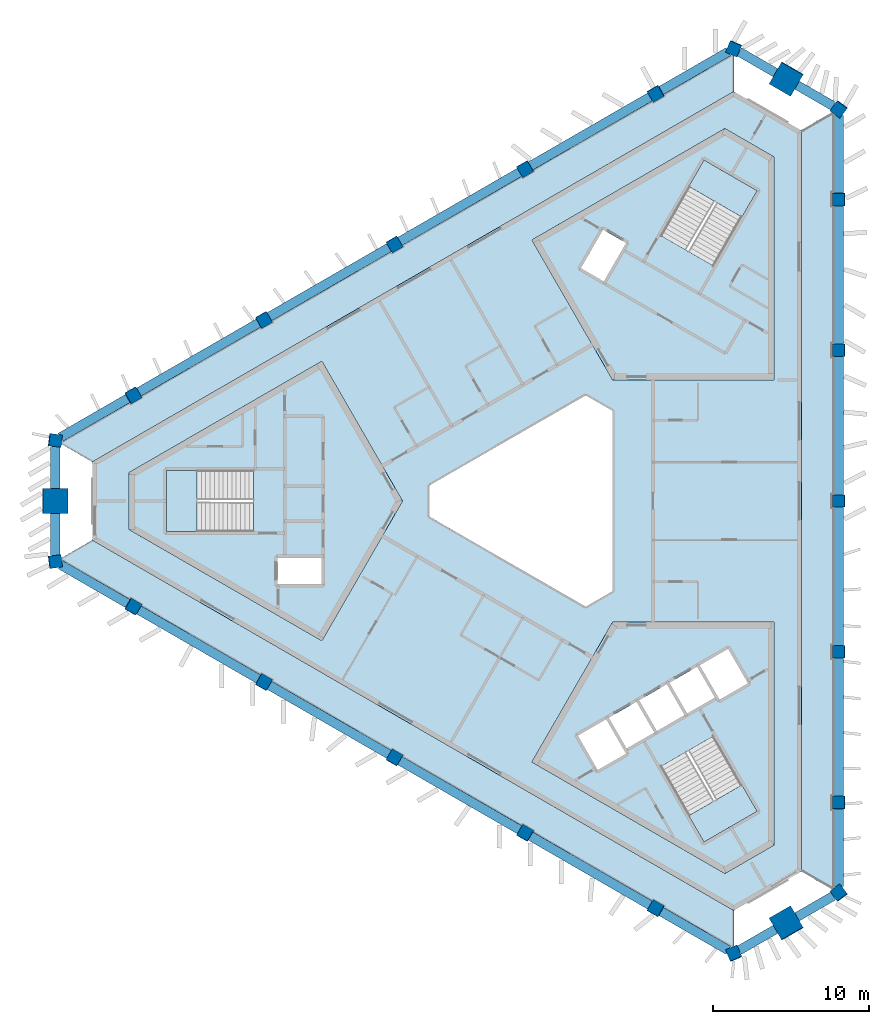
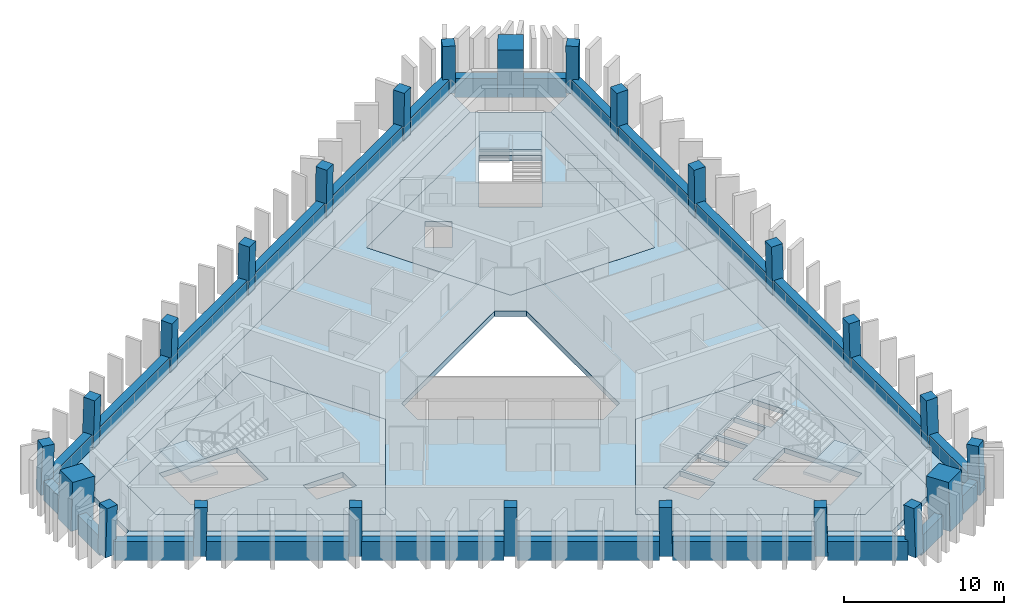
# One storey, part 1 of 9: 24 beams, 24 columns, 10 slabs, 3 elements without a shape of their own.
"""IFC4 building model written with IfcOpenShell, lengths in metres."""

from ifc_helpers import new_model, si_unit, direction, frame, origin, origin_2d, place, context, subcontext, project, spatial, polyline, rectangle, outline, extrude, material, layer, layer_set, material_profile, profile_set, type_object, element, aggregate, save


model = new_model("IFC4")

# Units and contexts
model_context = context("Model", 3, precision=1e-05, world=origin(), true_north=direction((0.0, 1.0)))
body_context = subcontext(model_context, "Body", "Model", "MODEL_VIEW")
ifc_project = project(units=[si_unit("LENGTHUNIT", "METRE"), si_unit("AREAUNIT", "SQUARE_METRE"), si_unit("VOLUMEUNIT", "CUBIC_METRE"), si_unit("PLANEANGLEUNIT", "RADIAN"), si_unit("MASSUNIT", "GRAM", prefix="KILO")], contexts=[model_context])

# Site, building, storey
site_placement = place(None, origin())
site = spatial("IfcSite", under=ifc_project, at=site_placement, CompositionType="ELEMENT")
building_placement = place(site_placement, origin())
building = spatial("IfcBuilding", under=site, at=building_placement, Name="Jabali Bay Hotel Tower and Convention Centre", CompositionType="ELEMENT")
storey_placement = place(building_placement, frame((0.0, 0.0, 277.5)))
storey = spatial("IfcBuildingStorey", under=building, at=storey_placement, Name="L68", CompositionType="ELEMENT", Elevation=277.5)

# Columns
ifc_material_1 = material(Name="Concrete C60", Category="concrete")
ifc_material_profile_1 = material_profile(ifc_material_1, rectangle(XDim=0.800048828125, YDim=0.800048828125, at=origin_2d()), Name="Frame column 800")
ifc_profile_set_1 = profile_set([ifc_material_profile_1], Name="Concrete C60")
column_type_1 = type_object("IfcColumnType", Name="Frame column 800", PredefinedType="COLUMN", material=ifc_profile_set_1)
column_1_placement = place(storey_placement, frame((82.275146484375, 106.201171875, 0.0), z_axis=(-0.008376454378, -0.028163354484, 0.999568237028), x_axis=(0.86584908167, 0.499849974805, 0.021339410928)))
element("IfcColumn", 1, at=column_1_placement, inside=storey, type_object=column_type_1, Name="FC6 F1.1 L68", PredefinedType="COLUMN", context=body_context, shape_type="SweptSolid", body=[
    extrude(rectangle(XDim=0.800048828125, YDim=0.800048828125, at=origin_2d()), origin(), (0.0, 0.0, 1.0), 3.70166015625),
])
column_2_placement = place(storey_placement, frame((73.874267578125, 101.350830078125, 0.0), z_axis=(0.000857578916, -0.022824792675, 0.999739112668), x_axis=(0.866054076895, 0.49983648719, 0.010668737814)))
element("IfcColumn", 2, at=column_2_placement, inside=storey, type_object=column_type_1, Name="FC6 F1.2 L68", PredefinedType="COLUMN", context=body_context, shape_type="SweptSolid", body=[
    extrude(rectangle(XDim=0.800048828125, YDim=0.800048828125, at=origin_2d()), origin(), (0.0, 0.0, 1.0), 3.700927734375),
])
column_3_placement = place(storey_placement, frame((65.473388671875, 96.50048828125, 0.0), z_axis=(0.010093620709, -0.017482414954, 0.999796221231), x_axis=(0.86601685016, 0.500014815019, 2.20911e-07)))
element("IfcColumn", 3, at=column_3_placement, inside=storey, type_object=column_type_1, Name="FC6 F1.3 L68", PredefinedType="COLUMN", context=body_context, shape_type="SweptSolid", body=[
    extrude(rectangle(XDim=0.800048828125, YDim=0.800048828125, at=origin_2d()), origin(), (0.0, 0.0, 1.0), 3.70068359375),
])
column_4_placement = place(storey_placement, frame((57.072509765625, 91.650390625, 0.0), z_axis=(0.019328516974, -0.012138044789, 0.999739504221), x_axis=(-0.500219757057, 0.865663279165, 0.020181222843)))
element("IfcColumn", 4, at=column_4_placement, inside=storey, type_object=column_type_1, Name="FC6 F1.4 L68", PredefinedType="COLUMN", context=body_context, shape_type="SweptSolid", body=[
    extrude(rectangle(XDim=0.800048828125, YDim=0.800048828125, at=origin_2d()), origin(), (0.0, 0.0, 1.0), 3.700927734375),
])
for number, where, z_axis, x_axis, name in (
    (5, (48.671630859375, 86.800048828125, 0.0), (0.02855911485, -0.006793507689, 0.999569019734), (-0.500407643461, 0.865554709988, 0.020180049142), "FC6 F1.5 L68"),
    (6, (48.671630859375, 73.199951171875, 0.0), (0.02855911485, 0.006793507689, 0.999569019734), (-0.865318766308, 0.500768301983, 0.021319953197), "FC6 F2.1 L68"),
):
    element("IfcColumn", number, at=place(storey_placement, frame(where, z_axis=z_axis, x_axis=x_axis)), inside=storey, type_object=column_type_1, Name=name, PredefinedType="COLUMN", context=body_context, shape_type="SweptSolid", body=[
        extrude(rectangle(XDim=0.800048828125, YDim=0.800048828125, at=origin_2d()), origin(), (0.0, 0.0, 1.0), 3.70166015625),
    ])
column_5_placement = place(storey_placement, frame((57.072509765625, 68.349609375, 0.0), z_axis=(0.019328516974, 0.012138044789, 0.999739504221), x_axis=(-0.865682738121, 0.50047952503, 0.010660297569)))
element("IfcColumn", 7, at=column_5_placement, inside=storey, type_object=column_type_1, Name="FC6 F2.2 L68", PredefinedType="COLUMN", context=body_context, shape_type="SweptSolid", body=[
    extrude(rectangle(XDim=0.800048828125, YDim=0.800048828125, at=origin_2d()), origin(), (0.0, 0.0, 1.0), 3.700927734375),
])
column_6_placement = place(storey_placement, frame((65.473388671875, 63.49951171875, 0.0), z_axis=(0.010093620709, 0.017482414954, 0.999796221231), x_axis=(-0.499912926478, -0.865840372083, 0.020187025823)))
element("IfcColumn", 8, at=column_6_placement, inside=storey, type_object=column_type_1, Name="FC6 F2.3 L68", PredefinedType="COLUMN", context=body_context, shape_type="SweptSolid", body=[
    extrude(rectangle(XDim=0.800048828125, YDim=0.800048828125, at=origin_2d()), origin(), (0.0, 0.0, 1.0), 3.70068359375),
])
column_7_placement = place(storey_placement, frame((73.874267578125, 58.649169921875, 0.0), z_axis=(0.000857578916, 0.022824792675, 0.999739112668), x_axis=(-0.499949597911, -0.865818985073, 0.020196153983)))
element("IfcColumn", 9, at=column_7_placement, inside=storey, type_object=column_type_1, Name="FC6 F2.4 L68", PredefinedType="COLUMN", context=body_context, shape_type="SweptSolid", body=[
    extrude(rectangle(XDim=0.800048828125, YDim=0.800048828125, at=origin_2d()), origin(), (0.0, 0.0, 1.0), 3.700927734375),
])
for number, where, z_axis, x_axis, name in (
    (10, (82.275146484375, 53.798828125, 0.0), (-0.008376454378, 0.028163354484, 0.999568237028), (-0.500235147489, -0.8656539887, 0.020198244107), "FC6 F2.5 L68"),
    (11, (94.05322265625, 60.598876953125, 0.0), (-0.020182659751, 0.021303918626, 0.999569308901), (0.000221583953, -0.999772833408, 0.021312730444), "FC6 F0.1 L68"),
):
    element("IfcColumn", number, at=place(storey_placement, frame(where, z_axis=z_axis, x_axis=x_axis)), inside=storey, type_object=column_type_1, Name=name, PredefinedType="COLUMN", context=body_context, shape_type="SweptSolid", body=[
        extrude(rectangle(XDim=0.800048828125, YDim=0.800048828125, at=origin_2d()), origin(), (0.0, 0.0, 1.0), 3.70166015625),
    ])
column_8_placement = place(storey_placement, frame((94.05322265625, 70.299560546875, 0.0), z_axis=(-0.020186102726, 0.010620792611, 0.999739826165), x_axis=(0.001537706804, -0.999942062305, 0.010653989463)))
element("IfcColumn", 12, at=column_8_placement, inside=storey, type_object=column_type_1, Name="FC6 F0.2 L68", PredefinedType="COLUMN", context=body_context, shape_type="SweptSolid", body=[
    extrude(rectangle(XDim=0.800048828125, YDim=0.800048828125, at=origin_2d()), origin(), (0.0, 0.0, 1.0), 3.700927734375),
])
column_9_placement = place(storey_placement, frame((94.05322265625, 80.0, 0.0), z_axis=(-0.020187241331, 0.0, 0.99979621688), x_axis=(0.0, -1.0, 0.0)))
element("IfcColumn", 13, at=column_9_placement, inside=storey, type_object=column_type_1, Name="FC6 F0.3 L68", PredefinedType="COLUMN", context=body_context, shape_type="SweptSolid", body=[
    extrude(rectangle(XDim=0.800048828125, YDim=0.800048828125, at=origin_2d()), origin(), (0.0, 0.0, 1.0), 3.70068359375),
])
column_10_placement = place(storey_placement, frame((94.05322265625, 89.700439453125, 0.0), z_axis=(-0.020186102726, -0.010620792611, 0.999739826165), x_axis=(0.999795057357, -0.001752369258, 0.020168601524)))
element("IfcColumn", 14, at=column_10_placement, inside=storey, type_object=column_type_1, Name="FC6 F0.4 L68", PredefinedType="COLUMN", context=body_context, shape_type="SweptSolid", body=[
    extrude(rectangle(XDim=0.800048828125, YDim=0.800048828125, at=origin_2d()), origin(), (0.0, 0.0, 1.0), 3.700927734375),
])
column_11_placement = place(storey_placement, frame((94.05322265625, 99.401123046875, 0.0), z_axis=(-0.020182659751, -0.021303918626, 0.999569308901), x_axis=(0.999796284823, -0.000651636106, 0.020173354318)))
element("IfcColumn", 15, at=column_11_placement, inside=storey, type_object=column_type_1, Name="FC6 F0.5 L68", PredefinedType="COLUMN", context=body_context, shape_type="SweptSolid", body=[
    extrude(rectangle(XDim=0.800048828125, YDim=0.800048828125, at=origin_2d()), origin(), (0.0, 0.0, 1.0), 3.70166015625),
])
for number, where, z_axis, x_axis, name in (
    (16, (94.05322265625, 54.7978515625, 0.0), (-0.020178741915, 0.029015184452, 0.999375273581), (-0.797803141702, -0.602916410827, 0.001395939255), "FC6 V0 L68"),
    (17, (94.05322265625, 105.2021484375, 0.0), (-0.020178741915, -0.029015184452, 0.999375273581), (0.602580256452, 0.797276564704, 0.035314499963), "FC6 V1 L68"),
    (18, (87.299072265625, 109.1015625, 0.0), (-0.015035141917, -0.031982648376, 0.99937533225), (0.921078843663, -0.389373617899, 0.001396223799), "FC6 V2 L68"),
    (19, (43.647705078125, 83.899658203125, 0.0), (0.035213880193, -0.00303340541, 0.999375195356), (-0.991519904394, 0.125064023442, 0.035316699045), "FC6 V3 L68"),
    (20, (43.647705078125, 76.100341796875, 0.0), (0.035213880193, 0.00303340541, 0.999375195356), (-0.125093012725, 0.992144036162, 0.001396307696), "FC6 V4 L68"),
    (21, (87.299072265625, 50.8984375, 0.0), (-0.015035141917, 0.031982648376, 0.99937533225), (0.389085733823, -0.920524467837, 0.035312828388), "FC6 V5 L68"),
):
    element("IfcColumn", number, at=place(storey_placement, frame(where, z_axis=z_axis, x_axis=x_axis)), inside=storey, type_object=column_type_1, Name=name, PredefinedType="COLUMN", context=body_context, shape_type="SweptSolid", body=[
        extrude(rectangle(XDim=0.800048828125, YDim=0.800048828125, at=origin_2d()), origin(), (0.0, 0.0, 1.0), 3.7021484375),
    ])
ifc_material_2 = material(Name="Concrete C70", Category="concrete")
ifc_material_profile_2 = material_profile(ifc_material_2, rectangle(XDim=1.60009765625, YDim=1.60009765625, at=origin_2d()), Name="Mega column 1600")
ifc_profile_set_2 = profile_set([ifc_material_profile_2], Name="Concrete C70")
column_type_2 = type_object("IfcColumnType", Name="Mega column 1600", PredefinedType="COLUMN", material=ifc_profile_set_2)
for number, where, z_axis, x_axis, name in (
    (22, (90.676025390625, 107.15185546875, 0.0), (-0.017607037296, -0.030466109479, 0.999380712447), (0.865814309161, -0.500365448499, 2.36446e-07), "MC6 M1 L68"),
    (23, (43.647705078125, 80.0, 0.0), (0.035214042205, 0.0, 0.999379793288), (0.0, 1.0, 0.0), "MC6 M0 L68"),
    (24, (90.676025390625, 52.84814453125, 0.0), (-0.017607037296, 0.030466109479, 0.999380712447), (0.500055571201, -0.865278125299, 0.035187946645), "MC6 M2 L68"),
):
    element("IfcColumn", number, at=place(storey_placement, frame(where, z_axis=z_axis, x_axis=x_axis)), inside=storey, type_object=column_type_2, Name=name, PredefinedType="COLUMN", context=body_context, shape_type="SweptSolid", body=[
        extrude(rectangle(XDim=1.60009765625, YDim=1.60009765625, at=origin_2d()), origin(), (0.0, 0.0, 1.0), 3.7021484375),
    ])

# Beams
ifc_material_profile_3 = material_profile(ifc_material_1, rectangle(XDim=0.60009765625, YDim=1.449951171875, at=origin_2d()), Name="Spandrel 600x1450")
ifc_profile_set_3 = profile_set([ifc_material_profile_3], Name="Concrete C60")
beam_type = type_object("IfcBeamType", Name="Spandrel 600x1450", PredefinedType="SPANDREL", material=ifc_profile_set_3)
beam_1_placement = place(storey_placement, frame((89.976806640625, 107.54052734375, 0.375), z_axis=(-0.866040948072, 0.499973075538, 0.0), x_axis=(-0.499973075538, -0.866040948072, 0.0)))
element("IfcBeam", 25, at=beam_1_placement, inside=storey, type_object=beam_type, Name="Spandrel M1-V2 L68", PredefinedType="SPANDREL", context=body_context, shape_type="SweptSolid", body=[
    extrude(rectangle(XDim=0.60009765625, YDim=1.449951171875, at=origin_2d()), origin(), (0.0, 0.0, 1.0), 2.698486328125),
])
beam_2_placement = place(storey_placement, frame((86.947021484375, 108.8896484375, 0.375), z_axis=(-0.866034292756, -0.499984603534, 0.0), x_axis=(0.499984603534, -0.866034292756, 0.0)))
element("IfcBeam", 26, at=beam_2_placement, inside=storey, type_object=beam_type, Name="Spandrel V2-F1.1 L68", PredefinedType="SPANDREL", context=body_context, shape_type="SweptSolid", body=[
    extrude(rectangle(XDim=0.60009765625, YDim=1.449951171875, at=origin_2d()), origin(), (0.0, 0.0, 1.0), 4.998291015625),
])
for number, where, z_axis, x_axis, name in (
    (27, (81.92578125, 105.990478515625, 0.375), (-0.866032499339, -0.499987709938, 0.0), (0.499987709938, -0.866032499339, 0.0), "Spandrel F1.1-F1.2 L68"),
    (28, (73.5283203125, 101.142333984375, 0.375), (-0.866032499339, -0.499987709938, 0.0), (0.499987709938, -0.866032499339, 0.0), "Spandrel F1.2-F1.3 L68"),
    (29, (65.130859375, 96.2939453125, 0.375), (-0.866032499339, -0.499987709938, 0.0), (0.499987709938, -0.866032499339, 0.0), "Spandrel F1.3-F1.4 L68"),
    (30, (56.7333984375, 91.44580078125, 0.375), (-0.866032499339, -0.499987709938, 0.0), (0.499987709938, -0.866032499339, 0.0), "Spandrel F1.4-F1.5 L68"),
):
    element("IfcBeam", number, at=place(storey_placement, frame(where, z_axis=z_axis, x_axis=x_axis)), inside=storey, type_object=beam_type, Name=name, PredefinedType="SPANDREL", context=body_context, shape_type="SweptSolid", body=[
        extrude(rectangle(XDim=0.60009765625, YDim=1.449951171875, at=origin_2d()), origin(), (0.0, 0.0, 1.0), 8.896728515625),
    ])
beam_3_placement = place(storey_placement, frame((48.3359375, 86.597412109375, 0.375), z_axis=(-0.866034292756, -0.499984603534, 0.0), x_axis=(0.499984603534, -0.866034292756, 0.0)))
element("IfcBeam", 31, at=beam_3_placement, inside=storey, type_object=beam_type, Name="Spandrel F1.5-V3 L68", PredefinedType="SPANDREL", context=body_context, shape_type="SweptSolid", body=[
    extrude(rectangle(XDim=0.60009765625, YDim=1.449951171875, at=origin_2d()), origin(), (0.0, 0.0, 1.0), 4.998291015625),
])
for number, where, z_axis, x_axis, name in (
    (32, (43.660888671875, 83.49853515625, 0.375), (0.0, -1.0, 0.0), (1.0, 0.0, 0.0), "Spandrel V3-M0 L68"),
    (33, (43.660888671875, 79.199951171875, 0.375), (0.0, -1.0, 0.0), (1.0, 0.0, 0.0), "Spandrel M0-V4 L68"),
):
    element("IfcBeam", number, at=place(storey_placement, frame(where, z_axis=z_axis, x_axis=x_axis)), inside=storey, type_object=beam_type, Name=name, PredefinedType="SPANDREL", context=body_context, shape_type="SweptSolid", body=[
        extrude(rectangle(XDim=0.60009765625, YDim=1.449951171875, at=origin_2d()), origin(), (0.0, 0.0, 1.0), 2.698486328125),
    ])
beam_4_placement = place(storey_placement, frame((44.00732421875, 75.901611328125, 0.375), z_axis=(0.866034292756, -0.499984603534, 0.0), x_axis=(0.499984603534, 0.866034292756, 0.0)))
element("IfcBeam", 34, at=beam_4_placement, inside=storey, type_object=beam_type, Name="Spandrel V4-F2.1 L68", PredefinedType="SPANDREL", context=body_context, shape_type="SweptSolid", body=[
    extrude(rectangle(XDim=0.60009765625, YDim=1.449951171875, at=origin_2d()), origin(), (0.0, 0.0, 1.0), 4.998291015625),
])
for number, where, z_axis, x_axis, name in (
    (35, (49.028564453125, 73.00244140625, 0.375), (0.866032499339, -0.499987709938, 0.0), (0.499987709938, 0.866032499339, 0.0), "Spandrel F2.1-F2.2 L68"),
    (36, (57.426025390625, 68.154296875, 0.375), (0.866032499339, -0.499987709938, 0.0), (0.499987709938, 0.866032499339, 0.0), "Spandrel F2.2-F2.3 L68"),
    (37, (65.823486328125, 63.305908203125, 0.375), (0.866032499339, -0.499987709938, 0.0), (0.499987709938, 0.866032499339, 0.0), "Spandrel F2.3-F2.4 L68"),
    (38, (74.220947265625, 58.457763671875, 0.375), (0.866032499339, -0.499987709938, 0.0), (0.499987709938, 0.866032499339, 0.0), "Spandrel F2.4-F2.5 L68"),
):
    element("IfcBeam", number, at=place(storey_placement, frame(where, z_axis=z_axis, x_axis=x_axis)), inside=storey, type_object=beam_type, Name=name, PredefinedType="SPANDREL", context=body_context, shape_type="SweptSolid", body=[
        extrude(rectangle(XDim=0.60009765625, YDim=1.449951171875, at=origin_2d()), origin(), (0.0, 0.0, 1.0), 8.896728515625),
    ])
beam_5_placement = place(storey_placement, frame((82.618408203125, 53.609375, 0.375), z_axis=(0.866034292756, -0.499984603534, 0.0), x_axis=(0.499984603534, 0.866034292756, 0.0)))
element("IfcBeam", 39, at=beam_5_placement, inside=storey, type_object=beam_type, Name="Spandrel F2.5-V5 L68", PredefinedType="SPANDREL", context=body_context, shape_type="SweptSolid", body=[
    extrude(rectangle(XDim=0.60009765625, YDim=1.449951171875, at=origin_2d()), origin(), (0.0, 0.0, 1.0), 4.998291015625),
])
for number, where, z_axis, x_axis, name in (
    (40, (87.639892578125, 51.1103515625, 0.375), (0.866040948072, 0.499973075538, 0.0), (-0.499973075538, 0.866040948072, 0.0), "Spandrel V5-M2 L68"),
    (41, (91.3623046875, 53.259521484375, 0.375), (0.866001771124, 0.500040930735, 0.0), (-0.500040930735, 0.866001771124, 0.0), "Spandrel M2-V0 L68"),
):
    element("IfcBeam", number, at=place(storey_placement, frame(where, z_axis=z_axis, x_axis=x_axis)), inside=storey, type_object=beam_type, Name=name, PredefinedType="SPANDREL", context=body_context, shape_type="SweptSolid", body=[
        extrude(rectangle(XDim=0.60009765625, YDim=1.449951171875, at=origin_2d()), origin(), (0.0, 0.0, 1.0), 2.698486328125),
    ])
beam_6_placement = place(storey_placement, frame((94.045654296875, 55.208740234375, 0.375), z_axis=(0.0, 1.0, 0.0), x_axis=(-1.0, 0.0, 0.0)))
element("IfcBeam", 42, at=beam_6_placement, inside=storey, type_object=beam_type, Name="Spandrel V0-F0.1 L68", PredefinedType="SPANDREL", context=body_context, shape_type="SweptSolid", body=[
    extrude(rectangle(XDim=0.60009765625, YDim=1.449951171875, at=origin_2d()), origin(), (0.0, 0.0, 1.0), 4.998291015625),
])
for number, where, z_axis, x_axis, name in (
    (43, (94.045654296875, 61.0068359375, 0.375), (0.0, 1.0, 0.0), (-1.0, 0.0, 0.0), "Spandrel F0.1-F0.2 L68"),
    (44, (94.045654296875, 70.703369140625, 0.375), (0.0, 1.0, 0.0), (-1.0, 0.0, 0.0), "Spandrel F0.2-F0.3 L68"),
    (45, (94.045654296875, 80.39990234375, 0.375), (0.0, 1.0, 0.0), (-1.0, 0.0, 0.0), "Spandrel F0.3-F0.4 L68"),
    (46, (94.045654296875, 90.096435546875, 0.375), (0.0, 1.0, 0.0), (-1.0, 0.0, 0.0), "Spandrel F0.4-F0.5 L68"),
):
    element("IfcBeam", number, at=place(storey_placement, frame(where, z_axis=z_axis, x_axis=x_axis)), inside=storey, type_object=beam_type, Name=name, PredefinedType="SPANDREL", context=body_context, shape_type="SweptSolid", body=[
        extrude(rectangle(XDim=0.60009765625, YDim=1.449951171875, at=origin_2d()), origin(), (0.0, 0.0, 1.0), 8.896728515625),
    ])
beam_7_placement = place(storey_placement, frame((94.045654296875, 99.79296875, 0.375), z_axis=(0.0, 1.0, 0.0), x_axis=(-1.0, 0.0, 0.0)))
element("IfcBeam", 47, at=beam_7_placement, inside=storey, type_object=beam_type, Name="Spandrel F0.5-V1 L68", PredefinedType="SPANDREL", context=body_context, shape_type="SweptSolid", body=[
    extrude(rectangle(XDim=0.60009765625, YDim=1.449951171875, at=origin_2d()), origin(), (0.0, 0.0, 1.0), 4.998291015625),
])
beam_8_placement = place(storey_placement, frame((93.69921875, 105.39111328125, 0.375), z_axis=(-0.866001771124, 0.500040930735, 0.0), x_axis=(-0.500040930735, -0.866001771124, 0.0)))
element("IfcBeam", 48, at=beam_8_placement, inside=storey, type_object=beam_type, Name="Spandrel V1-M1 L68", PredefinedType="SPANDREL", context=body_context, shape_type="SweptSolid", body=[
    extrude(rectangle(XDim=0.60009765625, YDim=1.449951171875, at=origin_2d()), origin(), (0.0, 0.0, 1.0), 2.698486328125),
])

# Slabs
ifc_material_3 = material(Name="Concrete C40", Category="concrete")
ifc_layer_1 = layer(ifc_material_3, 0.39990234375)
ifc_layer_set_1 = layer_set([ifc_layer_1], Name="Concrete C40")
slab_type_1 = type_object("IfcSlabType", Name="Core floor slab 400", PredefinedType="FLOOR", material=ifc_layer_set_1)
slab_1_placement = place(storey_placement, frame((0.0, 0.0, -0.39990234375)))
element("IfcSlab", 49, at=slab_1_placement, inside=storey, type_object=slab_type_1, Name="Core floor slab 1 L68", PredefinedType="FLOOR", context=body_context, shape_type="SweptSolid", body=[
    extrude(outline(polyline([(66.0, 80.0), (60.81005859375, 88.9892578125), (48.39697265625, 81.82275390625), (48.39697265625, 78.17724609375), (60.81005859375, 71.0107421875), (66.0, 80.0)]), holes=[polyline([(60.800048828125, 76.35009765625), (57.949951171875, 76.35009765625), (57.949951171875, 74.64990234375), (60.800048828125, 74.64990234375), (60.800048828125, 76.35009765625)]), polyline([(50.820068359375, 81.97509765625), (50.820068359375, 78.02490234375), (56.409912109375, 78.02490234375), (56.409912109375, 81.97509765625), (50.820068359375, 81.97509765625)])]), origin(), (0.0, 0.0, 1.0), 0.39990234375),
])
slab_2_placement = place(storey_placement, frame((0.0, 0.0, -0.39990234375)))
element("IfcSlab", 50, at=slab_2_placement, inside=storey, type_object=slab_type_1, Name="Core floor slab 2 L68", PredefinedType="FLOOR", context=body_context, shape_type="SweptSolid", body=[
    extrude(outline(polyline([(79.5, 87.794189453125), (89.8798828125, 87.794189453125), (89.8798828125, 102.127685546875), (86.72314453125, 103.9501953125), (74.31005859375, 96.78369140625), (79.5, 87.794189453125)]), holes=[polyline([(78.93896484375, 94.12255859375), (80.364013671875, 96.5908203125), (78.891845703125, 97.440673828125), (77.466796875, 94.97265625), (78.93896484375, 94.12255859375)]), polyline([(88.80029296875, 99.952880859375), (85.379638671875, 101.927978515625), (82.584716796875, 97.0869140625), (86.00537109375, 95.11181640625), (88.80029296875, 99.952880859375)])]), origin(), (0.0, 0.0, 1.0), 0.39990234375),
])
slab_3_placement = place(storey_placement, frame((0.0, 0.0, -0.39990234375)))
element("IfcSlab", 51, at=slab_3_placement, inside=storey, type_object=slab_type_1, Name="Core floor slab 3 L68", PredefinedType="FLOOR", context=body_context, shape_type="SweptSolid", body=[
    extrude(outline(polyline([(79.5, 72.205810546875), (74.31005859375, 63.21630859375), (86.72314453125, 56.0498046875), (89.8798828125, 57.872314453125), (89.8798828125, 72.205810546875), (79.5, 72.205810546875)]), holes=[polyline([(82.584716796875, 62.9130859375), (85.379638671875, 58.072021484375), (88.80029296875, 60.047119140625), (86.00537109375, 64.88818359375), (82.584716796875, 62.9130859375)]), polyline([(80.365478515625, 63.756591796875), (79.090576171875, 65.96484375), (77.27197265625, 64.9150390625), (78.546875, 62.70654296875), (80.365478515625, 63.756591796875)]), polyline([(82.17919921875, 65.115478515625), (81.0390625, 67.08984375), (79.263671875, 66.06494140625), (80.40380859375, 64.09033203125), (82.17919921875, 65.115478515625)]), polyline([(82.98779296875, 68.21484375), (81.21240234375, 67.18994140625), (82.352294921875, 65.21533203125), (84.127685546875, 66.240478515625), (82.98779296875, 68.21484375)]), polyline([(86.076171875, 67.365478515625), (84.936279296875, 69.33984375), (83.160888671875, 68.31494140625), (84.30078125, 66.34033203125), (86.076171875, 67.365478515625)]), polyline([(88.203125, 68.281494140625), (86.927978515625, 70.489990234375), (85.109375, 69.43994140625), (86.384521484375, 67.231689453125), (88.203125, 68.281494140625)])]), origin(), (0.0, 0.0, 1.0), 0.39990234375),
])
ifc_layer_2 = layer(ifc_material_3, 0.199951171875)
ifc_layer_set_2 = layer_set([ifc_layer_2], Name="Concrete C40")
slab_type_2 = type_object("IfcSlabType", Name="Loggia slab 200", PredefinedType="FLOOR", material=ifc_layer_set_2)
slab_4_placement = place(storey_placement, frame((0.0, 0.0, -0.199951171875)))
element("IfcSlab", 52, at=slab_4_placement, inside=storey, type_object=slab_type_2, Name="Loggia slab east face L68", PredefinedType="FLOOR", context=body_context, shape_type="SweptSolid", body=[
    extrude(outline(polyline([(91.6533203125, 103.81640625), (93.67724609375, 104.98486328125), (93.753173828125, 104.927490234375), (93.753173828125, 99.801025390625), (93.6533203125, 99.801025390625), (93.6533203125, 99.0009765625), (93.753173828125, 99.0009765625), (93.753173828125, 90.1005859375), (93.6533203125, 90.1005859375), (93.6533203125, 89.300537109375), (93.753173828125, 89.300537109375), (93.753173828125, 80.39990234375), (93.6533203125, 80.39990234375), (93.6533203125, 79.60009765625), (93.753173828125, 79.60009765625), (93.753173828125, 70.699462890625), (93.6533203125, 70.699462890625), (93.6533203125, 69.8994140625), (93.753173828125, 69.8994140625), (93.753173828125, 60.9990234375), (93.6533203125, 60.9990234375), (93.6533203125, 60.198974609375), (93.753173828125, 60.198974609375), (93.753173828125, 55.072509765625), (93.67724609375, 55.01513671875), (91.6533203125, 56.18359375), (91.6533203125, 103.81640625)])), origin(), (0.0, 0.0, 1.0), 0.199951171875),
])
slab_5_placement = place(storey_placement, frame((0.0, 0.0, -0.199951171875)))
element("IfcSlab", 53, at=slab_5_placement, inside=storey, type_object=slab_type_2, Name="Loggia slab north-west face L68", PredefinedType="FLOOR", context=body_context, shape_type="SweptSolid", body=[
    extrude(outline(polyline([(46.0478515625, 82.513916015625), (44.02392578125, 83.682373046875), (44.03564453125, 83.777099609375), (48.47509765625, 86.34033203125), (48.525146484375, 86.253662109375), (49.218017578125, 86.653564453125), (49.16796875, 86.740234375), (56.8759765625, 91.1904296875), (56.926025390625, 91.10400390625), (57.618896484375, 91.50390625), (57.56884765625, 91.590576171875), (65.27685546875, 96.040771484375), (65.326904296875, 95.9541015625), (66.019775390625, 96.354248046875), (65.9697265625, 96.440673828125), (73.677978515625, 100.89111328125), (73.727783203125, 100.804443359375), (74.420654296875, 101.204345703125), (74.37060546875, 101.291015625), (82.078857421875, 105.7412109375), (82.12890625, 105.65478515625), (82.821533203125, 106.0546875), (82.771728515625, 106.141357421875), (87.211181640625, 108.70458984375), (87.299072265625, 108.66748046875), (87.299072265625, 106.330322265625), (46.0478515625, 82.513916015625)])), origin(), (0.0, 0.0, 1.0), 0.199951171875),
])
slab_6_placement = place(storey_placement, frame((0.0, 0.0, -0.199951171875)))
element("IfcSlab", 54, at=slab_6_placement, inside=storey, type_object=slab_type_2, Name="Loggia slab south-west face L68", PredefinedType="FLOOR", context=body_context, shape_type="SweptSolid", body=[
    extrude(outline(polyline([(87.299072265625, 53.669677734375), (87.299072265625, 51.33251953125), (87.211181640625, 51.29541015625), (82.771728515625, 53.858642578125), (82.821533203125, 53.9453125), (82.12890625, 54.34521484375), (82.078857421875, 54.2587890625), (74.37060546875, 58.708984375), (74.420654296875, 58.795654296875), (73.727783203125, 59.195556640625), (73.677978515625, 59.10888671875), (65.9697265625, 63.559326171875), (66.019775390625, 63.645751953125), (65.326904296875, 64.0458984375), (65.27685546875, 63.959228515625), (57.56884765625, 68.409423828125), (57.618896484375, 68.49609375), (56.926025390625, 68.89599609375), (56.8759765625, 68.8095703125), (49.16796875, 73.259765625), (49.218017578125, 73.346435546875), (48.525146484375, 73.746337890625), (48.47509765625, 73.65966796875), (44.03564453125, 76.222900390625), (44.02392578125, 76.317626953125), (46.0478515625, 77.486083984375), (87.299072265625, 53.669677734375)])), origin(), (0.0, 0.0, 1.0), 0.199951171875),
])
ifc_layer_3 = layer(ifc_material_3, 0.39990234375)
ifc_layer_set_3 = layer_set([ifc_layer_3], Name="Concrete C40")
slab_type_3 = type_object("IfcSlabType", Name="Post-tensioned flat slab 400", PredefinedType="FLOOR", material=ifc_layer_set_3)
slab_7_placement = place(storey_placement, frame((0.0, 0.0, -0.39990234375)))
element("IfcSlab", 55, at=slab_7_placement, inside=storey, type_object=slab_type_3, Name="Floor slab L68", PredefinedType="FLOOR", context=body_context, shape_type="SweptSolid", body=[
    extrude(outline(polyline([(87.299072265625, 106.330322265625), (91.6533203125, 103.81640625), (91.6533203125, 56.18359375), (87.299072265625, 53.669677734375), (46.0478515625, 77.486083984375), (46.0478515625, 82.513916015625), (87.299072265625, 106.330322265625)]), holes=[polyline([(67.73193359375, 79.0), (77.76806640625, 73.205810546875), (79.5, 74.205810546875), (79.5, 85.794189453125), (77.76806640625, 86.794189453125), (67.73193359375, 81.0), (67.73193359375, 79.0)]), polyline([(48.39697265625, 78.17724609375), (60.81005859375, 71.0107421875), (66.0, 80.0), (60.81005859375, 88.9892578125), (48.39697265625, 81.82275390625), (48.39697265625, 78.17724609375)]), polyline([(89.8798828125, 102.127685546875), (86.72314453125, 103.9501953125), (74.31005859375, 96.78369140625), (79.5, 87.794189453125), (89.8798828125, 87.794189453125), (89.8798828125, 102.127685546875)]), polyline([(74.31005859375, 63.21630859375), (86.72314453125, 56.0498046875), (89.8798828125, 57.872314453125), (89.8798828125, 72.205810546875), (79.5, 72.205810546875), (74.31005859375, 63.21630859375)])]), origin(), (0.0, 0.0, 1.0), 0.39990234375),
])

# Stair, slab
stair_type = type_object("IfcStairType", Name="Exit stair 1900", PredefinedType="HALF_TURN_STAIR", material=ifc_material_3)
stair_1_placement = place(storey_placement, origin())
stair_1 = element("IfcStair", 56, at=stair_1_placement, inside=storey, type_object=stair_type, Name="L68 Exit Stair 1", PredefinedType="HALF_TURN_STAIR")
ifc_layer_4 = layer(ifc_material_3, 0.199951171875)
ifc_layer_set_4 = layer_set([ifc_layer_4], Name="Concrete C40")
slab_type_4 = type_object("IfcSlabType", Name="Stair landing 200", PredefinedType="LANDING", material=ifc_layer_set_4)
slab_8_placement = place(storey_placement, frame((0.0, 0.0, 1.64990234375)))
slab_8 = element("IfcSlab", 57, at=slab_8_placement, type_object=slab_type_4, Name="ST1 landing 1", PredefinedType="LANDING", context=body_context, shape_type="SweptSolid", body=[
    extrude(outline(polyline([(52.782958984375, 81.97509765625), (50.820068359375, 81.97509765625), (50.820068359375, 78.02490234375), (52.782958984375, 78.02490234375), (52.782958984375, 81.97509765625)])), origin(), (0.0, 0.0, 1.0), 0.2001953125),
])
aggregate(stair_1, [slab_8])

stair_2_placement = place(storey_placement, origin())
stair_2 = element("IfcStair", 58, at=stair_2_placement, inside=storey, type_object=stair_type, Name="L68 Exit Stair 2", PredefinedType="HALF_TURN_STAIR")
slab_9_placement = place(storey_placement, frame((0.0, 0.0, 1.64990234375)))
slab_9 = element("IfcSlab", 59, at=slab_9_placement, type_object=slab_type_4, Name="ST2 landing 1", PredefinedType="LANDING", context=body_context, shape_type="SweptSolid", body=[
    extrude(outline(polyline([(87.81884765625, 98.2529296875), (88.80029296875, 99.952880859375), (85.379638671875, 101.927978515625), (84.398193359375, 100.22802734375), (87.81884765625, 98.2529296875)])), origin(), (0.0, 0.0, 1.0), 0.2001953125),
])
aggregate(stair_2, [slab_9])

stair_3_placement = place(storey_placement, origin())
stair_3 = element("IfcStair", 60, at=stair_3_placement, inside=storey, type_object=stair_type, Name="L68 Exit Stair 3", PredefinedType="HALF_TURN_STAIR")
slab_10_placement = place(storey_placement, frame((0.0, 0.0, 1.64990234375)))
slab_10 = element("IfcSlab", 61, at=slab_10_placement, type_object=slab_type_4, Name="ST3 landing 1", PredefinedType="LANDING", context=body_context, shape_type="SweptSolid", body=[
    extrude(outline(polyline([(84.398193359375, 59.77197265625), (85.379638671875, 58.072021484375), (88.80029296875, 60.047119140625), (87.81884765625, 61.7470703125), (84.398193359375, 59.77197265625)])), origin(), (0.0, 0.0, 1.0), 0.2001953125),
])
aggregate(stair_3, [slab_10])

save(model, "model.ifc")
